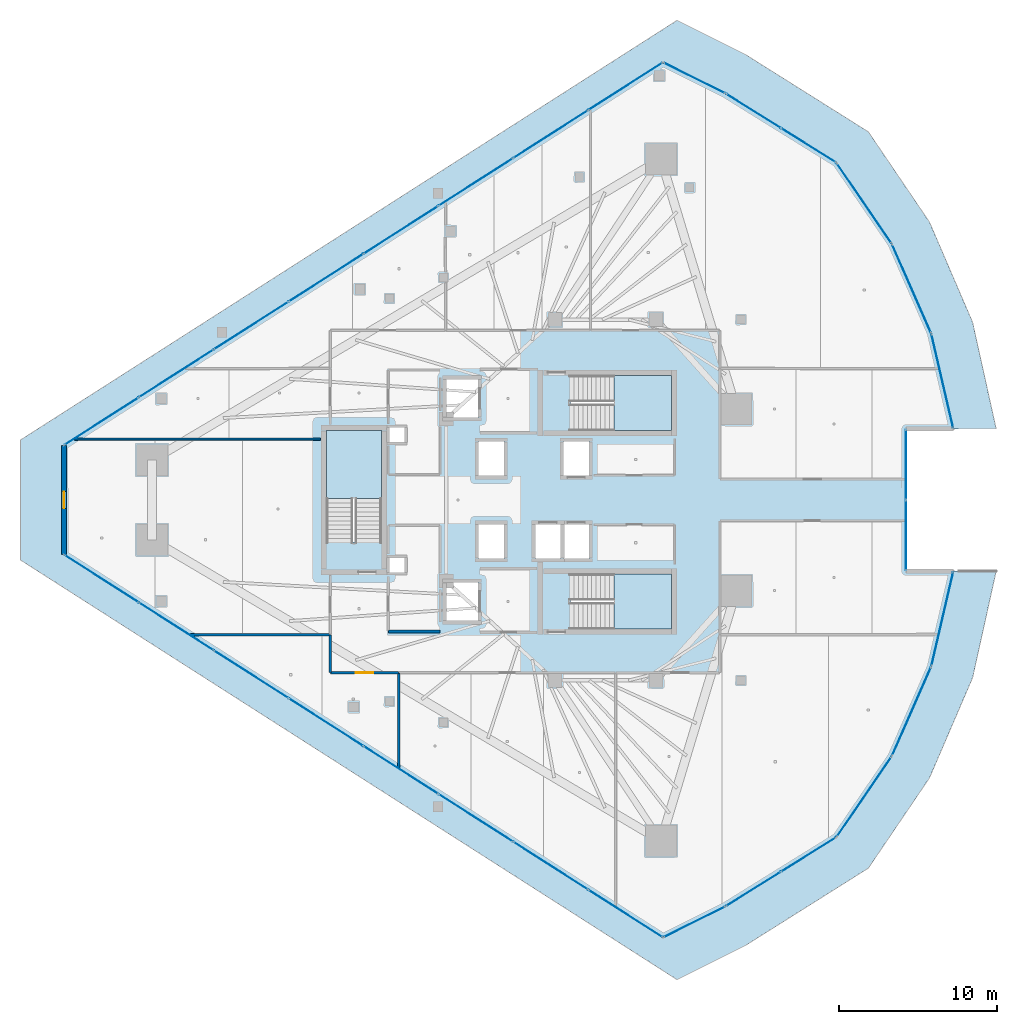
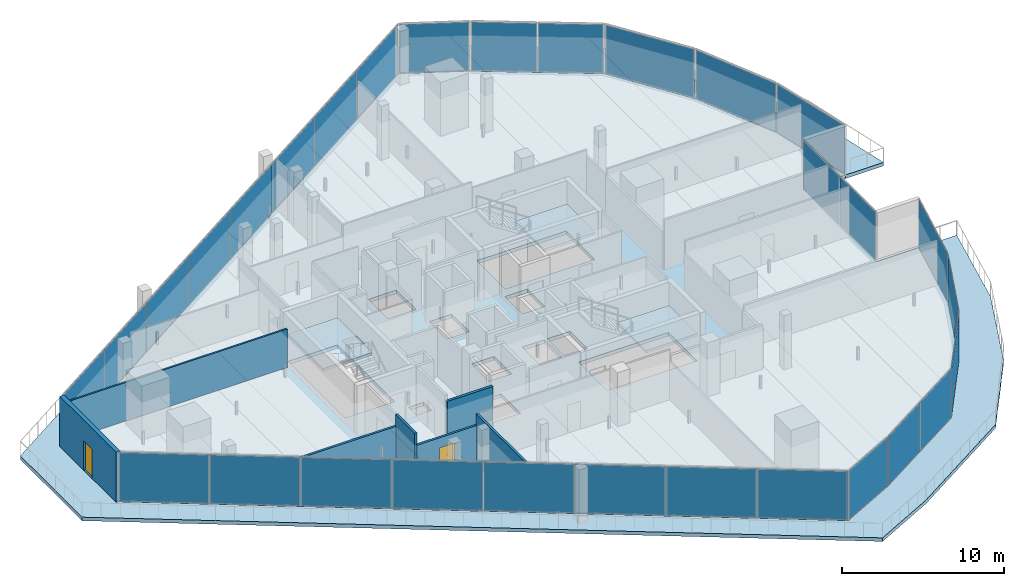
# One storey, part 24 of 36: 30 plates, 7 walls, 5 slabs, 2 doors, 2 openings, 16 elements without a shape of their own.
"""IFC4 building model written with IfcOpenShell, lengths in metres."""

from ifc_helpers import new_model, si_unit, direction, frame, frame_2d, origin, origin_2d, place, context, subcontext, project, spatial, polyline, rectangle, outline, extrude, material, layer, layer_set, type_object, element, fill, aggregate, save


model = new_model("IFC4")

# Units and contexts
model_context = context("Model", 3, precision=1e-05, world=origin(), true_north=direction((0.0, 1.0)))
body_context = subcontext(model_context, "Body", "Model", "MODEL_VIEW")
ifc_project = project(units=[si_unit("LENGTHUNIT", "METRE"), si_unit("AREAUNIT", "SQUARE_METRE"), si_unit("VOLUMEUNIT", "CUBIC_METRE"), si_unit("PLANEANGLEUNIT", "RADIAN"), si_unit("MASSUNIT", "GRAM", prefix="KILO")], contexts=[model_context])

# Site, building, storey
site_placement = place(None, origin())
site = spatial("IfcSite", under=ifc_project, at=site_placement, CompositionType="ELEMENT")
building_placement = place(site_placement, origin())
building = spatial("IfcBuilding", under=site, at=building_placement, Name="Qorvath Tower", CompositionType="ELEMENT")
storey_placement = place(building_placement, frame((0.0, 0.0, 205.050048828125)))
storey = spatial("IfcBuildingStorey", under=building, at=storey_placement, Name="L47", CompositionType="ELEMENT", Elevation=205.050048828125)

# Curtain wall, plates
ifc_material_1 = material(Name="Anodised aluminium and triple low-E glass", Category="aluminium")
ifc_layer_1 = layer(ifc_material_1, 0.179931640625)
ifc_layer_set_1 = layer_set([ifc_layer_1], Name="CW-SYS-3")
curtain_wall_type = type_object("IfcCurtainWallType", Name="CW-SYS-3", PredefinedType="NOTDEFINED", material=ifc_layer_set_1)
curtain_wall_1_placement = place(storey_placement, origin())
curtain_wall_1 = element("IfcCurtainWall", 1, at=curtain_wall_1_placement, inside=storey, type_object=curtain_wall_type, Name="Curtain Wall CW-3 CW-T-L47-2.1", PredefinedType="NOTDEFINED")
ifc_material_2 = material(Name="Low-E triple insulated glass", Category="glass")
ifc_layer_2 = layer(ifc_material_2, 0.031982421875)
ifc_layer_set_2 = layer_set([ifc_layer_2], Name="CWP-GLZ-32")
plate_type = type_object("IfcPlateType", Name="CWP-GLZ-32", PredefinedType="CURTAIN_PANEL", material=ifc_layer_set_2)
plate_1_placement = place(storey_placement, frame((-52.372802734375, -4.998779296875, 0.06494140625), z_axis=(0.0, 0.0, 1.0), x_axis=(0.842604020948, -0.538533623725, 0.0)))
plate_1 = element("IfcPlate", 2, at=plate_1_placement, type_object=plate_type, Name="CW-3 panel 1.1", PredefinedType="CURTAIN_PANEL", context=body_context, shape_type="SweptSolid", body=[
    extrude(rectangle(XDim=5.542724609375, YDim=0.031982421875, at=origin_2d()), origin(), (0.0, 0.0, 1.0), 3.650146484375),
])
plate_2_placement = place(storey_placement, frame((-47.634033203125, -8.027587890625, 0.06494140625), z_axis=(0.0, 0.0, 1.0), x_axis=(0.842604020948, -0.538533623725, 0.0)))
plate_2 = element("IfcPlate", 3, at=plate_2_placement, type_object=plate_type, Name="CW-3 panel 2.1", PredefinedType="CURTAIN_PANEL", context=body_context, shape_type="SweptSolid", body=[
    extrude(rectangle(XDim=5.5751953125, YDim=0.031982421875, at=origin_2d()), origin(), (0.0, 0.0, 1.0), 3.650146484375),
])
plate_3_placement = place(storey_placement, frame((-42.881591796875, -11.06494140625, 0.06494140625), z_axis=(0.0, 0.0, 1.0), x_axis=(0.842604020948, -0.538533623725, 0.0)))
plate_3 = element("IfcPlate", 4, at=plate_3_placement, type_object=plate_type, Name="CW-3 panel 3.1", PredefinedType="CURTAIN_PANEL", context=body_context, shape_type="SweptSolid", body=[
    extrude(rectangle(XDim=5.5751953125, YDim=0.031982421875, at=origin_2d()), origin(), (0.0, 0.0, 1.0), 3.650146484375),
])
plate_4_placement = place(storey_placement, frame((-38.129150390625, -14.1025390625, 0.06494140625), z_axis=(0.0, 0.0, 1.0), x_axis=(0.842604020948, -0.538533623725, 0.0)))
plate_4 = element("IfcPlate", 5, at=plate_4_placement, type_object=plate_type, Name="CW-3 panel 4.1", PredefinedType="CURTAIN_PANEL", context=body_context, shape_type="SweptSolid", body=[
    extrude(rectangle(XDim=5.5751953125, YDim=0.031982421875, at=origin_2d()), origin(), (0.0, 0.0, 1.0), 3.650146484375),
])
plate_5_placement = place(storey_placement, frame((-33.37646484375, -17.139892578125, 0.06494140625), z_axis=(0.0, 0.0, 1.0), x_axis=(0.842604020948, -0.538533623725, 0.0)))
plate_5 = element("IfcPlate", 6, at=plate_5_placement, type_object=plate_type, Name="CW-3 panel 5.1", PredefinedType="CURTAIN_PANEL", context=body_context, shape_type="SweptSolid", body=[
    extrude(rectangle(XDim=5.5751953125, YDim=0.031982421875, at=origin_2d()), origin(), (0.0, 0.0, 1.0), 3.650146484375),
])
plate_6_placement = place(storey_placement, frame((-28.6240234375, -20.177490234375, 0.06494140625), z_axis=(0.0, 0.0, 1.0), x_axis=(0.842604020948, -0.538533623725, 0.0)))
plate_6 = element("IfcPlate", 7, at=plate_6_placement, type_object=plate_type, Name="CW-3 panel 6.1", PredefinedType="CURTAIN_PANEL", context=body_context, shape_type="SweptSolid", body=[
    extrude(rectangle(XDim=5.5751953125, YDim=0.031982421875, at=origin_2d()), origin(), (0.0, 0.0, 1.0), 3.650146484375),
])
plate_7_placement = place(storey_placement, frame((-23.87158203125, -23.21484375, 0.06494140625), z_axis=(0.0, 0.0, 1.0), x_axis=(0.842604020948, -0.538533623725, 0.0)))
plate_7 = element("IfcPlate", 8, at=plate_7_placement, type_object=plate_type, Name="CW-3 panel 7.1", PredefinedType="CURTAIN_PANEL", context=body_context, shape_type="SweptSolid", body=[
    extrude(rectangle(XDim=5.5751953125, YDim=0.031982421875, at=origin_2d()), origin(), (0.0, 0.0, 1.0), 3.650146484375),
])
plate_8_placement = place(storey_placement, frame((-19.1328125, -26.243408203125, 0.06494140625), z_axis=(0.0, 0.0, 1.0), x_axis=(0.842604020948, -0.538533623725, 0.0)))
plate_8 = element("IfcPlate", 9, at=plate_8_placement, type_object=plate_type, Name="CW-3 panel 8.1", PredefinedType="CURTAIN_PANEL", context=body_context, shape_type="SweptSolid", body=[
    extrude(rectangle(XDim=5.542724609375, YDim=0.031982421875, at=origin_2d()), origin(), (0.0, 0.0, 1.0), 3.650146484375),
])
aggregate(curtain_wall_1, [plate_1, plate_2, plate_3, plate_4, plate_5, plate_6, plate_7, plate_8])

# Curtain wall, plate
curtain_wall_2_placement = place(storey_placement, origin())
curtain_wall_2 = element("IfcCurtainWall", 10, at=curtain_wall_2_placement, inside=storey, type_object=curtain_wall_type, Name="Curtain Wall CW-3 CW-T-L47-3.1", PredefinedType="NOTDEFINED")
plate_9_placement = place(storey_placement, frame((-14.75927734375, -26.779296875, 0.06494140625), z_axis=(0.0, 0.0, 1.0), x_axis=(0.894431699973, 0.44720457744, 0.0)))
plate_9 = element("IfcPlate", 11, at=plate_9_placement, type_object=plate_type, Name="CW-3 panel 1.1", PredefinedType="CURTAIN_PANEL", context=body_context, shape_type="SweptSolid", body=[
    extrude(rectangle(XDim=4.3056640625, YDim=0.031982421875, at=origin_2d()), origin(), (0.0, 0.0, 1.0), 3.650146484375),
])
aggregate(curtain_wall_2, [plate_9])

# Curtain wall, plates
curtain_wall_3_placement = place(storey_placement, origin())
curtain_wall_3 = element("IfcCurtainWall", 12, at=curtain_wall_3_placement, inside=storey, type_object=curtain_wall_type, Name="Curtain Wall CW-3 CW-T-L47-4.1", PredefinedType="NOTDEFINED")
plate_10_placement = place(storey_placement, frame((-11.000732421875, -24.680419921875, 0.06494140625), z_axis=(0.0, 0.0, 1.0), x_axis=(0.848493264618, 0.529206179006, 0.0)))
plate_10 = element("IfcPlate", 13, at=plate_10_placement, type_object=plate_type, Name="CW-3 panel 1.1", PredefinedType="CURTAIN_PANEL", context=body_context, shape_type="SweptSolid", body=[
    extrude(rectangle(XDim=4.0537109375, YDim=0.031982421875, at=origin_2d()), origin(), (0.0, 0.0, 1.0), 3.650146484375),
])
plate_11_placement = place(storey_placement, frame((-7.506103515625, -22.500732421875, 0.06494140625), z_axis=(0.0, 0.0, 1.0), x_axis=(0.848493264618, 0.529206179006, 0.0)))
plate_11 = element("IfcPlate", 14, at=plate_11_placement, type_object=plate_type, Name="CW-3 panel 2.1", PredefinedType="CURTAIN_PANEL", context=body_context, shape_type="SweptSolid", body=[
    extrude(rectangle(XDim=4.0537109375, YDim=0.031982421875, at=origin_2d()), origin(), (0.0, 0.0, 1.0), 3.650146484375),
])
aggregate(curtain_wall_3, [plate_10, plate_11])

# Curtain wall, plate
curtain_wall_4_placement = place(storey_placement, origin())
curtain_wall_4 = element("IfcCurtainWall", 15, at=curtain_wall_4_placement, inside=storey, type_object=curtain_wall_type, Name="Curtain Wall CW-3 CW-T-L47-5.1", PredefinedType="NOTDEFINED")
plate_12_placement = place(storey_placement, frame((-3.97705078125, -18.828857421875, 0.06494140625), z_axis=(0.0, 0.0, 1.0), x_axis=(0.56451201528, 0.825424850974, 0.0)))
plate_12 = element("IfcPlate", 16, at=plate_12_placement, type_object=plate_type, Name="CW-3 panel 1.1", PredefinedType="CURTAIN_PANEL", context=body_context, shape_type="SweptSolid", body=[
    extrude(rectangle(XDim=6.085205078125, YDim=0.031982421875, at=origin_2d()), origin(), (0.0, 0.0, 1.0), 3.650146484375),
])
aggregate(curtain_wall_4, [plate_12])

curtain_wall_5_placement = place(storey_placement, origin())
curtain_wall_5 = element("IfcCurtainWall", 17, at=curtain_wall_5_placement, inside=storey, type_object=curtain_wall_type, Name="Curtain Wall CW-3 CW-T-L47-6.1", PredefinedType="NOTDEFINED")
plate_13_placement = place(storey_placement, frame((-0.972412109375, -13.418701171875, 0.06494140625), z_axis=(0.0, 0.0, 1.0), x_axis=(0.402320695364, 0.915498802884, 0.0)))
plate_13 = element("IfcPlate", 18, at=plate_13_placement, type_object=plate_type, Name="CW-3 panel 1.1", PredefinedType="CURTAIN_PANEL", context=body_context, shape_type="SweptSolid", body=[
    extrude(rectangle(XDim=6.085205078125, YDim=0.031982421875, at=origin_2d()), origin(), (0.0, 0.0, 1.0), 3.650146484375),
])
aggregate(curtain_wall_5, [plate_13])

curtain_wall_6_placement = place(storey_placement, origin())
curtain_wall_6 = element("IfcCurtainWall", 19, at=curtain_wall_6_placement, inside=storey, type_object=curtain_wall_type, Name="Curtain Wall CW-3 CW-T-L47-7.1", PredefinedType="NOTDEFINED")
plate_14_placement = place(storey_placement, frame((0.98095703125, -7.546630859375, 0.06494140625), z_axis=(0.0, 0.0, 1.0), x_axis=(0.226271743469, 0.974064216624, 0.0)))
plate_14 = element("IfcPlate", 20, at=plate_14_placement, type_object=plate_type, Name="CW-3 panel 1.1", PredefinedType="CURTAIN_PANEL", context=body_context, shape_type="SweptSolid", body=[
    extrude(rectangle(XDim=6.085205078125, YDim=0.031982421875, at=origin_2d()), origin(), (0.0, 0.0, 1.0), 3.650146484375),
])
aggregate(curtain_wall_6, [plate_14])

# Curtain wall, plates
curtain_wall_7_placement = place(storey_placement, origin())
curtain_wall_7 = element("IfcCurtainWall", 21, at=curtain_wall_7_placement, inside=storey, type_object=curtain_wall_type, Name="Curtain Wall CW-3 CW-T-L47-9.1", PredefinedType="NOTDEFINED")
plate_15_placement = place(storey_placement, frame((-1.3291015625, -2.24365234375, 0.06494140625), z_axis=(0.0, 0.0, 1.0), x_axis=(0.0, 1.0, 0.0)))
plate_15 = element("IfcPlate", 22, at=plate_15_placement, type_object=plate_type, Name="CW-3 panel 1.1", PredefinedType="CURTAIN_PANEL", context=body_context, shape_type="SweptSolid", body=[
    extrude(rectangle(XDim=4.42236328125, YDim=0.031982421875, at=origin_2d()), origin(), (0.0, 0.0, 1.0), 3.650146484375),
])
plate_16_placement = place(storey_placement, frame((-1.3291015625, 2.24365234375, 0.06494140625), z_axis=(0.0, 0.0, 1.0), x_axis=(0.0, 1.0, 0.0)))
plate_16 = element("IfcPlate", 23, at=plate_16_placement, type_object=plate_type, Name="CW-3 panel 2.1", PredefinedType="CURTAIN_PANEL", context=body_context, shape_type="SweptSolid", body=[
    extrude(rectangle(XDim=4.42236328125, YDim=0.031982421875, at=origin_2d()), origin(), (0.0, 0.0, 1.0), 3.650146484375),
])
aggregate(curtain_wall_7, [plate_15, plate_16])

# Curtain wall, plate
curtain_wall_8_placement = place(storey_placement, origin())
curtain_wall_8 = element("IfcCurtainWall", 24, at=curtain_wall_8_placement, inside=storey, type_object=curtain_wall_type, Name="Curtain Wall CW-3 CW-T-L47-11.1", PredefinedType="NOTDEFINED")
plate_17_placement = place(storey_placement, frame((0.98095703125, 7.546630859375, 0.06494140625), z_axis=(0.0, 0.0, 1.0), x_axis=(-0.226271743469, 0.974064216624, 0.0)))
plate_17 = element("IfcPlate", 25, at=plate_17_placement, type_object=plate_type, Name="CW-3 panel 1.1", PredefinedType="CURTAIN_PANEL", context=body_context, shape_type="SweptSolid", body=[
    extrude(rectangle(XDim=6.085205078125, YDim=0.031982421875, at=origin_2d()), origin(), (0.0, 0.0, 1.0), 3.650146484375),
])
aggregate(curtain_wall_8, [plate_17])

curtain_wall_9_placement = place(storey_placement, origin())
curtain_wall_9 = element("IfcCurtainWall", 26, at=curtain_wall_9_placement, inside=storey, type_object=curtain_wall_type, Name="Curtain Wall CW-3 CW-T-L47-12.1", PredefinedType="NOTDEFINED")
plate_18_placement = place(storey_placement, frame((-0.972412109375, 13.418701171875, 0.06494140625), z_axis=(0.0, 0.0, 1.0), x_axis=(-0.402320695364, 0.915498802884, 0.0)))
plate_18 = element("IfcPlate", 27, at=plate_18_placement, type_object=plate_type, Name="CW-3 panel 1.1", PredefinedType="CURTAIN_PANEL", context=body_context, shape_type="SweptSolid", body=[
    extrude(rectangle(XDim=6.085205078125, YDim=0.031982421875, at=origin_2d()), origin(), (0.0, 0.0, 1.0), 3.650146484375),
])
aggregate(curtain_wall_9, [plate_18])

curtain_wall_10_placement = place(storey_placement, origin())
curtain_wall_10 = element("IfcCurtainWall", 28, at=curtain_wall_10_placement, inside=storey, type_object=curtain_wall_type, Name="Curtain Wall CW-3 CW-T-L47-13.1", PredefinedType="NOTDEFINED")
plate_19_placement = place(storey_placement, frame((-3.97705078125, 18.828857421875, 0.06494140625), z_axis=(0.0, 0.0, 1.0), x_axis=(-0.56451201528, 0.825424850974, 0.0)))
plate_19 = element("IfcPlate", 29, at=plate_19_placement, type_object=plate_type, Name="CW-3 panel 1.1", PredefinedType="CURTAIN_PANEL", context=body_context, shape_type="SweptSolid", body=[
    extrude(rectangle(XDim=6.085205078125, YDim=0.031982421875, at=origin_2d()), origin(), (0.0, 0.0, 1.0), 3.650146484375),
])
aggregate(curtain_wall_10, [plate_19])

# Curtain wall, plates
curtain_wall_11_placement = place(storey_placement, origin())
curtain_wall_11 = element("IfcCurtainWall", 30, at=curtain_wall_11_placement, inside=storey, type_object=curtain_wall_type, Name="Curtain Wall CW-3 CW-T-L47-14.1", PredefinedType="NOTDEFINED")
plate_20_placement = place(storey_placement, frame((-7.506103515625, 22.500732421875, 0.06494140625), z_axis=(0.0, 0.0, 1.0), x_axis=(-0.848493264618, 0.529206179006, 0.0)))
plate_20 = element("IfcPlate", 31, at=plate_20_placement, type_object=plate_type, Name="CW-3 panel 1.1", PredefinedType="CURTAIN_PANEL", context=body_context, shape_type="SweptSolid", body=[
    extrude(rectangle(XDim=4.0537109375, YDim=0.031982421875, at=origin_2d()), origin(), (0.0, 0.0, 1.0), 3.650146484375),
])
plate_21_placement = place(storey_placement, frame((-11.000732421875, 24.680419921875, 0.06494140625), z_axis=(0.0, 0.0, 1.0), x_axis=(-0.848493264618, 0.529206179006, 0.0)))
plate_21 = element("IfcPlate", 32, at=plate_21_placement, type_object=plate_type, Name="CW-3 panel 2.1", PredefinedType="CURTAIN_PANEL", context=body_context, shape_type="SweptSolid", body=[
    extrude(rectangle(XDim=4.0537109375, YDim=0.031982421875, at=origin_2d()), origin(), (0.0, 0.0, 1.0), 3.650146484375),
])
aggregate(curtain_wall_11, [plate_20, plate_21])

# Curtain wall, plate
curtain_wall_12_placement = place(storey_placement, origin())
curtain_wall_12 = element("IfcCurtainWall", 33, at=curtain_wall_12_placement, inside=storey, type_object=curtain_wall_type, Name="Curtain Wall CW-3 CW-T-L47-15.1", PredefinedType="NOTDEFINED")
plate_22_placement = place(storey_placement, frame((-14.75927734375, 26.779296875, 0.06494140625), z_axis=(0.0, 0.0, 1.0), x_axis=(-0.894431699973, 0.44720457744, 0.0)))
plate_22 = element("IfcPlate", 34, at=plate_22_placement, type_object=plate_type, Name="CW-3 panel 1.1", PredefinedType="CURTAIN_PANEL", context=body_context, shape_type="SweptSolid", body=[
    extrude(rectangle(XDim=4.3056640625, YDim=0.031982421875, at=origin_2d()), origin(), (0.0, 0.0, 1.0), 3.650146484375),
])
aggregate(curtain_wall_12, [plate_22])

# Curtain wall, plates
curtain_wall_13_placement = place(storey_placement, origin())
curtain_wall_13 = element("IfcCurtainWall", 35, at=curtain_wall_13_placement, inside=storey, type_object=curtain_wall_type, Name="Curtain Wall CW-3 CW-T-L47-16.1", PredefinedType="NOTDEFINED")
plate_23_placement = place(storey_placement, frame((-19.1328125, 26.243408203125, 0.06494140625), z_axis=(0.0, 0.0, 1.0), x_axis=(-0.842604020948, -0.538533623725, 0.0)))
plate_23 = element("IfcPlate", 36, at=plate_23_placement, type_object=plate_type, Name="CW-3 panel 1.1", PredefinedType="CURTAIN_PANEL", context=body_context, shape_type="SweptSolid", body=[
    extrude(rectangle(XDim=5.542724609375, YDim=0.031982421875, at=origin_2d()), origin(), (0.0, 0.0, 1.0), 3.650146484375),
])
plate_24_placement = place(storey_placement, frame((-23.87158203125, 23.21484375, 0.06494140625), z_axis=(0.0, 0.0, 1.0), x_axis=(-0.842604020948, -0.538533623725, 0.0)))
plate_24 = element("IfcPlate", 37, at=plate_24_placement, type_object=plate_type, Name="CW-3 panel 2.1", PredefinedType="CURTAIN_PANEL", context=body_context, shape_type="SweptSolid", body=[
    extrude(rectangle(XDim=5.5751953125, YDim=0.031982421875, at=origin_2d()), origin(), (0.0, 0.0, 1.0), 3.650146484375),
])
plate_25_placement = place(storey_placement, frame((-28.6240234375, 20.177490234375, 0.06494140625), z_axis=(0.0, 0.0, 1.0), x_axis=(-0.842604020948, -0.538533623725, 0.0)))
plate_25 = element("IfcPlate", 38, at=plate_25_placement, type_object=plate_type, Name="CW-3 panel 3.1", PredefinedType="CURTAIN_PANEL", context=body_context, shape_type="SweptSolid", body=[
    extrude(rectangle(XDim=5.5751953125, YDim=0.031982421875, at=origin_2d()), origin(), (0.0, 0.0, 1.0), 3.650146484375),
])
plate_26_placement = place(storey_placement, frame((-33.37646484375, 17.139892578125, 0.06494140625), z_axis=(0.0, 0.0, 1.0), x_axis=(-0.842604020948, -0.538533623725, 0.0)))
plate_26 = element("IfcPlate", 39, at=plate_26_placement, type_object=plate_type, Name="CW-3 panel 4.1", PredefinedType="CURTAIN_PANEL", context=body_context, shape_type="SweptSolid", body=[
    extrude(rectangle(XDim=5.5751953125, YDim=0.031982421875, at=origin_2d()), origin(), (0.0, 0.0, 1.0), 3.650146484375),
])
plate_27_placement = place(storey_placement, frame((-38.129150390625, 14.1025390625, 0.06494140625), z_axis=(0.0, 0.0, 1.0), x_axis=(-0.842604020948, -0.538533623725, 0.0)))
plate_27 = element("IfcPlate", 40, at=plate_27_placement, type_object=plate_type, Name="CW-3 panel 5.1", PredefinedType="CURTAIN_PANEL", context=body_context, shape_type="SweptSolid", body=[
    extrude(rectangle(XDim=5.5751953125, YDim=0.031982421875, at=origin_2d()), origin(), (0.0, 0.0, 1.0), 3.650146484375),
])
plate_28_placement = place(storey_placement, frame((-42.881591796875, 11.06494140625, 0.06494140625), z_axis=(0.0, 0.0, 1.0), x_axis=(-0.842604020948, -0.538533623725, 0.0)))
plate_28 = element("IfcPlate", 41, at=plate_28_placement, type_object=plate_type, Name="CW-3 panel 6.1", PredefinedType="CURTAIN_PANEL", context=body_context, shape_type="SweptSolid", body=[
    extrude(rectangle(XDim=5.5751953125, YDim=0.031982421875, at=origin_2d()), origin(), (0.0, 0.0, 1.0), 3.650146484375),
])
plate_29_placement = place(storey_placement, frame((-47.634033203125, 8.027587890625, 0.06494140625), z_axis=(0.0, 0.0, 1.0), x_axis=(-0.842604020948, -0.538533623725, 0.0)))
plate_29 = element("IfcPlate", 42, at=plate_29_placement, type_object=plate_type, Name="CW-3 panel 7.1", PredefinedType="CURTAIN_PANEL", context=body_context, shape_type="SweptSolid", body=[
    extrude(rectangle(XDim=5.5751953125, YDim=0.031982421875, at=origin_2d()), origin(), (0.0, 0.0, 1.0), 3.650146484375),
])
plate_30_placement = place(storey_placement, frame((-52.372802734375, 4.998779296875, 0.06494140625), z_axis=(0.0, 0.0, 1.0), x_axis=(-0.842604020948, -0.538533623725, 0.0)))
plate_30 = element("IfcPlate", 43, at=plate_30_placement, type_object=plate_type, Name="CW-3 panel 8.1", PredefinedType="CURTAIN_PANEL", context=body_context, shape_type="SweptSolid", body=[
    extrude(rectangle(XDim=5.542724609375, YDim=0.031982421875, at=origin_2d()), origin(), (0.0, 0.0, 1.0), 3.650146484375),
])
aggregate(curtain_wall_13, [plate_23, plate_24, plate_25, plate_26, plate_27, plate_28, plate_29, plate_30])

# Stair, slab
ifc_material_3 = material(Name="Concrete C50/60", Category="concrete")
stair_type = type_object("IfcStairType", Name="ST-H405", PredefinedType="HALF_TURN_STAIR", material=ifc_material_3)
stair_1_placement = place(storey_placement, origin())
stair_1 = element("IfcStair", 44, at=stair_1_placement, inside=storey, type_object=stair_type, Name="L47 Tower Exit Stair 1", PredefinedType="HALF_TURN_STAIR")
ifc_material_4 = material(Name="Concrete C50/60", Category="concrete")
ifc_layer_3 = layer(ifc_material_4, 0.199951171875)
ifc_layer_set_3 = layer_set([ifc_layer_3], Name="SL-LND-200")
slab_type_1 = type_object("IfcSlabType", Name="SL-LND-200", PredefinedType="LANDING", material=ifc_layer_set_3)
slab_1_placement = place(storey_placement, frame((0.0, 0.0, 1.824951171875)))
slab_1 = element("IfcSlab", 45, at=slab_1_placement, type_object=slab_type_1, Name="TS1 landing 1", PredefinedType="LANDING", context=body_context, shape_type="SweptSolid", body=[
    extrude(outline(polyline([(-19.8701171875, 4.39990234375), (-16.199951171875, 4.39990234375), (-16.199951171875, 7.909912109375), (-19.8701171875, 7.909912109375), (-19.8701171875, 4.39990234375)])), origin(), (0.0, 0.0, 1.0), 0.199951171875),
])
aggregate(stair_1, [slab_1])

stair_2_placement = place(storey_placement, origin())
stair_2 = element("IfcStair", 46, at=stair_2_placement, inside=storey, type_object=stair_type, Name="L47 Tower Exit Stair 2", PredefinedType="HALF_TURN_STAIR")
slab_2_placement = place(storey_placement, frame((0.0, 0.0, 1.824951171875)))
slab_2 = element("IfcSlab", 47, at=slab_2_placement, type_object=slab_type_1, Name="TS2 landing 1", PredefinedType="LANDING", context=body_context, shape_type="SweptSolid", body=[
    extrude(outline(polyline([(-19.8701171875, -8.199951171875), (-16.199951171875, -8.199951171875), (-16.199951171875, -4.68994140625), (-19.8701171875, -4.68994140625), (-19.8701171875, -8.199951171875)])), origin(), (0.0, 0.0, 1.0), 0.199951171875),
])
aggregate(stair_2, [slab_2])

stair_3_placement = place(storey_placement, origin())
stair_3 = element("IfcStair", 48, at=stair_3_placement, inside=storey, type_object=stair_type, Name="L47 Tower Exit Stair 3", PredefinedType="HALF_TURN_STAIR")
slab_3_placement = place(storey_placement, frame((0.0, 0.0, 1.824951171875)))
slab_3 = element("IfcSlab", 49, at=slab_3_placement, type_object=slab_type_1, Name="TS3 landing 1", PredefinedType="LANDING", context=body_context, shape_type="SweptSolid", body=[
    extrude(outline(polyline([(-34.60009765625, 0.080078125), (-34.60009765625, 4.39990234375), (-38.110107421875, 4.39990234375), (-38.110107421875, 0.080078125), (-34.60009765625, 0.080078125)])), origin(), (0.0, 0.0, 1.0), 0.199951171875),
])
aggregate(stair_3, [slab_3])

# Slabs
ifc_material_5 = material(Name="Precast concrete C45/55", Category="concrete")
ifc_layer_4 = layer(ifc_material_5, 0.27001953125)
ifc_layer_set_4 = layer_set([ifc_layer_4], Name="SL-LOG-270")
slab_type_2 = type_object("IfcSlabType", Name="SL-LOG-270", PredefinedType="FLOOR", material=ifc_layer_set_4)
slab_4_placement = place(storey_placement, frame((0.0, 0.0, -0.27001953125)))
element("IfcSlab", 50, at=slab_4_placement, inside=storey, type_object=slab_type_2, Name="Tower L47 Perimeter Loggia and Terrace Slab", PredefinedType="FLOOR", context=body_context, shape_type="SweptSolid", body=[
    extrude(outline(polyline([(1.68408203125, -4.519775390625), (0.27783203125, -10.57373046875), (-2.22265625, -16.263671875), (-5.731201171875, -21.393798828125), (-12.775634765625, -25.787353515625), (-16.742919921875, -27.77099609375), (-54.7626953125, -3.471435546875), (-54.7626953125, 3.471435546875), (-16.742919921875, 27.77099609375), (-12.775634765625, 25.787353515625), (-5.731201171875, 21.393798828125), (-2.22265625, 16.263671875), (0.27783203125, 10.57373046875), (1.68408203125, 4.519775390625), (4.400390625, 4.519775390625), (2.90478515625, 11.277587890625), (0.16748046875, 17.634521484375), (-3.714111328125, 23.364990234375), (-11.505126953125, 28.264892578125), (-15.853515625, 30.439208984375), (-57.5263671875, 3.804931640625), (-57.5263671875, -3.804931640625), (-15.853515625, -30.439208984375), (-11.505126953125, -28.264892578125), (-3.714111328125, -23.364990234375), (0.16748046875, -17.634521484375), (2.90478515625, -11.277587890625), (4.400390625, -4.519775390625), (1.68408203125, -4.519775390625)])), origin(), (0.0, 0.0, 1.0), 0.27001953125),
])
ifc_material_6 = material(Name="Concrete C45/55", Category="concrete")
ifc_layer_5 = layer(ifc_material_6, 0.27001953125)
ifc_layer_set_5 = layer_set([ifc_layer_5], Name="SL-MID-270")
slab_type_3 = type_object("IfcSlabType", Name="SL-MID-270", PredefinedType="FLOOR", material=ifc_layer_set_5)
slab_5_placement = place(storey_placement, frame((0.0, 0.0, -0.27001953125)))
element("IfcSlab", 51, at=slab_5_placement, inside=storey, type_object=slab_type_3, Name="Tower L47 Interior Floor Slab", PredefinedType="FLOOR", context=body_context, shape_type="SweptSolid", body=[
    extrude(outline(polyline([(-54.7626953125, 3.471435546875), (-54.7626953125, -3.471435546875), (-16.742919921875, -27.77099609375), (-12.775634765625, -25.787353515625), (-5.731201171875, -21.393798828125), (-2.22265625, -16.263671875), (0.27783203125, -10.57373046875), (1.68408203125, -4.519775390625), (-1.3291015625, -4.519775390625), (-1.3291015625, 4.519775390625), (1.68408203125, 4.519775390625), (0.27783203125, 10.57373046875), (-2.22265625, 16.263671875), (-5.731201171875, 21.393798828125), (-12.775634765625, 25.787353515625), (-16.742919921875, 27.77099609375), (-54.7626953125, 3.471435546875)]), holes=[polyline([(-16.2451171875, -8.199951171875), (-22.625, -8.199951171875), (-22.625, -4.68994140625), (-16.2451171875, -4.68994140625), (-16.2451171875, -8.199951171875)]), polyline([(-22.625, 4.39990234375), (-22.625, 7.909912109375), (-16.2451171875, 7.909912109375), (-16.2451171875, 4.39990234375), (-22.625, 4.39990234375)]), polyline([(-21.449951171875, -3.699951171875), (-23.050048828125, -3.699951171875), (-23.050048828125, -1.550048828125), (-21.449951171875, -1.550048828125), (-21.449951171875, -3.699951171875)]), polyline([(-23.050048828125, 1.550048828125), (-23.050048828125, 3.699951171875), (-21.449951171875, 3.699951171875), (-21.449951171875, 1.550048828125), (-23.050048828125, 1.550048828125)]), polyline([(-24.85009765625, -3.699951171875), (-24.85009765625, -1.550048828125), (-23.25, -1.550048828125), (-23.25, -3.699951171875), (-24.85009765625, -3.699951171875)]), polyline([(-28.449951171875, -3.699951171875), (-28.449951171875, -1.550048828125), (-26.85009765625, -1.550048828125), (-26.85009765625, -3.699951171875), (-28.449951171875, -3.699951171875)]), polyline([(-26.85009765625, 1.550048828125), (-28.449951171875, 1.550048828125), (-28.449951171875, 3.699951171875), (-26.85009765625, 3.699951171875), (-26.85009765625, 1.550048828125)]), polyline([(-28.5, -7.64990234375), (-30.5, -7.64990234375), (-30.5, -5.25), (-28.5, -5.25), (-28.5, -7.64990234375)]), polyline([(-30.5, 5.25), (-30.5, 7.64990234375), (-28.5, 7.64990234375), (-28.5, 5.25), (-30.5, 5.25)]), polyline([(-34.14990234375, -4.6201171875), (-34.14990234375, -3.64990234375), (-33.10009765625, -3.64990234375), (-33.10009765625, -4.6201171875), (-34.14990234375, -4.6201171875)]), polyline([(-34.14990234375, 3.64990234375), (-34.14990234375, 4.6201171875), (-33.10009765625, 4.6201171875), (-33.10009765625, 3.64990234375), (-34.14990234375, 3.64990234375)]), polyline([(-34.60009765625, -2.675048828125), (-38.110107421875, -2.675048828125), (-38.110107421875, 4.35498046875), (-34.60009765625, 4.35498046875), (-34.60009765625, -2.675048828125)])]), origin(), (0.0, 0.0, 1.0), 0.27001953125),
])

# Walls
ifc_material_7 = material(Name="Gypsum shaftliner on steel studs", Category="steel")
ifc_layer_6 = layer(ifc_material_7, 0.179931640625)
ifc_layer_set_6 = layer_set([ifc_layer_6], Name="FW-LOBBY")
wall_type_1 = type_object("IfcWallType", Name="FW-LOBBY", PredefinedType="PARTITIONING", material=ifc_layer_set_6)
wall_1_placement = place(storey_placement, frame((-34.15478515625, -8.35009765625, 0.0), z_axis=(0.0, 0.0, 1.0), x_axis=(1.0, 0.0, 0.0)))
element("IfcWall", 52, at=wall_1_placement, inside=storey, type_object=wall_type_1, Name="Interior Partition IW-T1-L47-015", PredefinedType="PARTITIONING", context=body_context, shape_type="SweptSolid", body=[
    extrude(rectangle(XDim=3.25, YDim=0.179931640625, at=frame_2d((1.625, 0.0))), origin(), (0.0, 0.0, 1.0), 3.34423828125),
])
ifc_material_8 = material(Name="Double acoustic gypsum board on steel studs", Category="steel")
ifc_layer_7 = layer(ifc_material_8, 0.159912109375)
ifc_layer_set_7 = layer_set([ifc_layer_7], Name="IW-ACOUSTIC-160")
wall_type_2 = type_object("IfcWallType", Name="IW-ACOUSTIC-160", PredefinedType="PARTITIONING", material=ifc_layer_set_7)
wall_2_placement = place(storey_placement, frame((-33.5185546875, -16.96923828125, 0.0), z_axis=(0.0, 0.0, 1.0), x_axis=(0.0, 1.0, 0.0)))
element("IfcWall", 53, at=wall_2_placement, inside=storey, type_object=wall_type_2, Name="Interior Partition IW-T1-L47-032", PredefinedType="PARTITIONING", context=body_context, shape_type="SweptSolid", body=[
    extrude(rectangle(XDim=5.986328125, YDim=0.159912109375, at=frame_2d((2.9931640625, 0.0))), origin(), (0.0, 0.0, 1.0), 3.780029296875),
])

# Wall, opening, door
wall_3_placement = place(storey_placement, frame((-33.543701171875, -10.9580078125, 0.0), z_axis=(0.0, 0.0, 1.0), x_axis=(-1.0, 0.0, 0.0)))
wall_3 = element("IfcWall", 54, at=wall_3_placement, inside=storey, type_object=wall_type_2, Name="Interior Partition IW-T1-L47-033", PredefinedType="PARTITIONING", context=body_context, shape_type="SweptSolid", body=[
    extrude(rectangle(XDim=4.289306640625, YDim=0.159912109375, at=frame_2d((2.14453125, 0.0))), origin(), (0.0, 0.0, 1.0), 2.89990234375),
])
opening_1_placement = place(wall_3_placement, frame((1.5947265625, 0.0, 0.0)))
opening_1 = element("IfcOpeningElement", 55, at=opening_1_placement, cuts=wall_3, Name="Opening D-T1-L47-08", PredefinedType="OPENING", context=body_context, shape_type="SweptSolid", body=[
    extrude(rectangle(XDim=1.10009765625, YDim=2.14990234375, at=frame_2d((0.550048828125, 1.074951171875))), frame((0.0, 0.08984375, 0.0), z_axis=(0.0, -1.0, 0.0), x_axis=(1.0, 0.0, 0.0)), (0.0, 0.0, 1.0), 0.179931640625),
])
ifc_material_9 = material(Name="Anodised aluminium acoustic framed glass", Category="aluminium")
door_type_1 = type_object("IfcDoorType", Name="D-03", OperationType="NOTDEFINED", PredefinedType="DOOR", material=ifc_material_9)
door_1_placement = place(opening_1_placement, origin())
door_1 = element("IfcDoor", 56, at=door_1_placement, inside=storey, type_object=door_type_1, Name="L47-04 Digital Visualization Suite Door D-T1-L47-08", OperationType="SINGLE_SWING_RIGHT", OverallHeight=2.14990234375, OverallWidth=1.10009765625, PredefinedType="DOOR", context=body_context, shape_type="SweptSolid", body=[
    extrude(rectangle(XDim=1.10009765625, YDim=2.14990234375, at=frame_2d((0.550048828125, 1.074951171875))), frame((0.0, 0.02490234375, 0.0), z_axis=(0.0, -1.0, 0.0), x_axis=(1.0, 0.0, 0.0)), (0.0, 0.0, 1.0), 0.050048828125),
])
fill(opening_1, door_1)

# Walls
wall_4_placement = place(storey_placement, frame((-37.85791015625, -10.93310546875, 0.0), z_axis=(0.0, 0.0, 1.0), x_axis=(0.0, 1.0, 0.0)))
element("IfcWall", 57, at=wall_4_placement, inside=storey, type_object=wall_type_2, Name="Interior Partition IW-T1-L47-034", PredefinedType="PARTITIONING", context=body_context, shape_type="SweptSolid", body=[
    extrude(rectangle(XDim=2.358154296875, YDim=0.159912109375, at=frame_2d((1.17919921875, 0.0))), origin(), (0.0, 0.0, 1.0), 3.780029296875),
])
wall_5_placement = place(storey_placement, frame((-37.8828125, -8.550048828125, 0.0), z_axis=(0.0, 0.0, 1.0), x_axis=(-1.0, 0.0, 0.0)))
element("IfcWall", 58, at=wall_5_placement, inside=storey, type_object=wall_type_2, Name="Interior Partition IW-T1-L47-035", PredefinedType="PARTITIONING", context=body_context, shape_type="SweptSolid", body=[
    extrude(rectangle(XDim=8.853759765625, YDim=0.159912109375, at=frame_2d((4.4267578125, 0.0))), origin(), (0.0, 0.0, 1.0), 2.89990234375),
])
ifc_material_10 = material(Name="Gypsum board on metal studs with mineral wool", Category="gypsum")
ifc_layer_8 = layer(ifc_material_10, 0.125)
ifc_layer_set_8 = layer_set([ifc_layer_8], Name="IW-PART-125")
wall_type_3 = type_object("IfcWallType", Name="IW-PART-125", PredefinedType="PARTITIONING", material=ifc_layer_set_8)
wall_6_placement = place(storey_placement, frame((-38.492919921875, 3.863037109375, 0.0), z_axis=(0.0, 0.0, 1.0), x_axis=(-0.999999979257, -0.000203681939, 0.0)))
element("IfcWall", 59, at=wall_6_placement, inside=storey, type_object=wall_type_3, Name="Interior Partition IW-T1-L47-046", PredefinedType="PARTITIONING", context=body_context, shape_type="SweptSolid", body=[
    extrude(rectangle(XDim=15.582275390625, YDim=0.125, at=frame_2d((7.791015625, 0.0))), origin(), (0.0, 0.0, 1.0), 2.89990234375),
])

# Wall, opening, door
ifc_material_11 = material(Name="Precast concrete C45/55", Category="concrete")
ifc_layer_9 = layer(ifc_material_11, 0.300048828125)
ifc_layer_set_9 = layer_set([ifc_layer_9], Name="WL-EW-LOG-300")
wall_type_4 = type_object("IfcWallType", Name="WL-EW-LOG-300", PredefinedType="SOLIDWALL", material=ifc_layer_set_9)
wall_7_placement = place(storey_placement, frame((-54.7626953125, -3.471435546875, 0.0), z_axis=(0.0, 0.0, 1.0), x_axis=(0.0, 1.0, 0.0)))
wall_7 = element("IfcWall", 60, at=wall_7_placement, inside=storey, type_object=wall_type_4, Name="Tower Precast Loggia Wall L47-1.1", PredefinedType="SOLIDWALL", context=body_context, shape_type="SweptSolid", body=[
    extrude(rectangle(XDim=6.94287109375, YDim=0.300048828125, at=frame_2d((3.471435546875, 0.0))), origin(), (0.0, 0.0, 1.0), 3.780029296875),
])
opening_2_placement = place(wall_7_placement, frame((2.9462890625, 0.0, 0.0)))
opening_2 = element("IfcOpeningElement", 61, at=opening_2_placement, cuts=wall_7, Name="Opening ED-L47-01", PredefinedType="OPENING", context=body_context, shape_type="SweptSolid", body=[
    extrude(rectangle(XDim=1.050048828125, YDim=2.199951171875, at=frame_2d((0.52490234375, 1.10009765625))), frame((0.0, 0.16015625, 0.0), z_axis=(0.0, -1.0, 0.0), x_axis=(1.0, 0.0, 0.0)), (0.0, 0.0, 1.0), 0.320068359375),
])
ifc_material_12 = material(Name="Thermally broken aluminium glazed door", Category="aluminium")
door_type_2 = type_object("IfcDoorType", Name="ED-LOG", OperationType="NOTDEFINED", PredefinedType="DOOR", material=ifc_material_12)
door_2_placement = place(opening_2_placement, origin())
door_2 = element("IfcDoor", 62, at=door_2_placement, inside=storey, type_object=door_type_2, Name="L47 Recessed Loggia Access Door 1", OperationType="SINGLE_SWING_RIGHT", OverallHeight=2.199951171875, OverallWidth=1.050048828125, PredefinedType="DOOR", context=body_context, shape_type="SweptSolid", body=[
    extrude(rectangle(XDim=1.050048828125, YDim=2.199951171875, at=frame_2d((0.52490234375, 1.10009765625))), frame((0.0, 0.02490234375, 0.0), z_axis=(0.0, -1.0, 0.0), x_axis=(1.0, 0.0, 0.0)), (0.0, 0.0, 1.0), 0.050048828125),
])
fill(opening_2, door_2)

save(model, "model.ifc")
